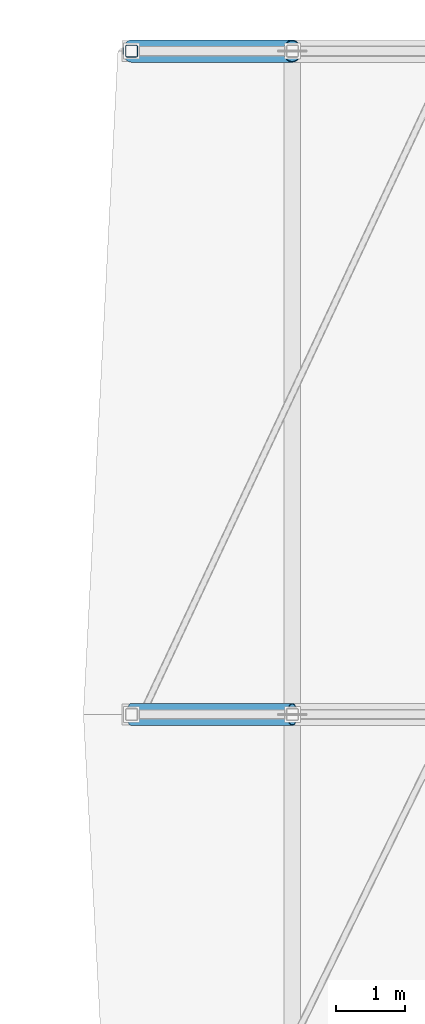
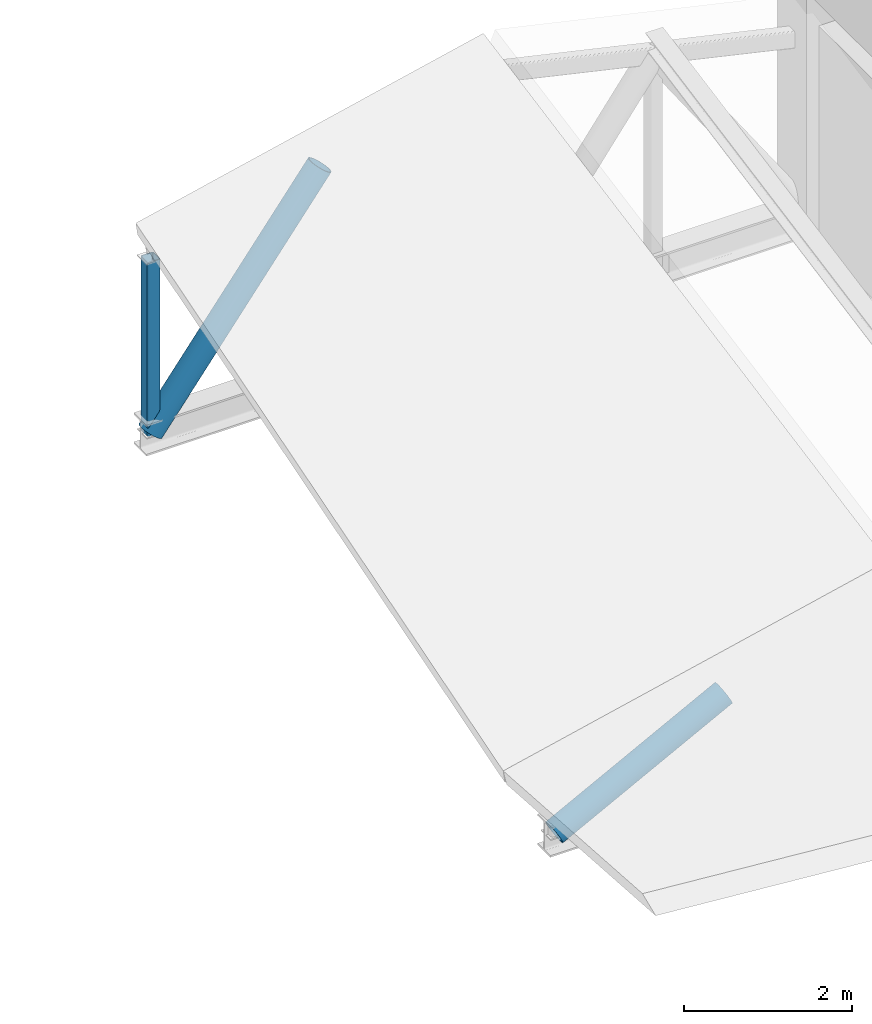
# One storey, part 39 of 90: 3 members.
"""IFC4 building model written with IfcOpenShell, lengths in metres."""

from ifc_helpers import new_model, si_unit, direction, frame, origin, origin_2d, place, context, subcontext, project, spatial, hollow_rectangle, hollow_circle, extrude, material, material_profile, profile_set, type_object, element, save


model = new_model("IFC4")

# Units and contexts
model_context = context("Model", 3, precision=1e-05, world=origin(), true_north=direction((0.0, 1.0)))
body_context = subcontext(model_context, "Body", "Model", "MODEL_VIEW")
ifc_project = project(units=[si_unit("LENGTHUNIT", "METRE"), si_unit("AREAUNIT", "SQUARE_METRE"), si_unit("VOLUMEUNIT", "CUBIC_METRE"), si_unit("PLANEANGLEUNIT", "RADIAN"), si_unit("MASSUNIT", "GRAM", prefix="KILO")], contexts=[model_context])

# Site, building, storey
site_placement = place(None, origin())
site = spatial("IfcSite", under=ifc_project, at=site_placement, CompositionType="ELEMENT")
building_placement = place(site_placement, origin())
building = spatial("IfcBuilding", under=site, at=building_placement, Name="Bozkorgan Art Gallery", CompositionType="ELEMENT")
storey_placement = place(building_placement, frame((0.0, 0.0, 5.39990234375)))
storey = spatial("IfcBuildingStorey", under=building, at=storey_placement, Name="L01", CompositionType="ELEMENT", Elevation=5.39990234375)

# Members
ifc_material = material(Name="Steel S355J2", Category="steel")
ifc_material_profile_1 = material_profile(ifc_material, hollow_rectangle(XDim=0.179931640625, YDim=0.179931640625, WallThickness=0.010009765625, InnerFilletRadius=0.014892578125, OuterFilletRadius=0.02490234375, at=origin_2d()), Name="SHS 180x180x10")
ifc_profile_set_1 = profile_set([ifc_material_profile_1], Name="Steel S355J2")
member_type_1 = type_object("IfcMemberType", Name="MEMBER-TP-98", PredefinedType="POST", material=ifc_profile_set_1)
member_1_placement = place(storey_placement, frame((127.85009765625, 112.39990234375, 0.22509765625), z_axis=(0.0, 0.0, 1.0), x_axis=(1.0, 0.0, 0.0)))
element("IfcMember", 1, at=member_1_placement, inside=storey, type_object=member_type_1, Name="ROOF-V5-DOCK roof truss 6 post 0", PredefinedType="POST", context=body_context, shape_type="SweptSolid", body=[
    extrude(hollow_rectangle(XDim=0.179931640625, YDim=0.179931640625, WallThickness=0.010009765625, InnerFilletRadius=0.014892578125, OuterFilletRadius=0.02490234375, at=origin_2d()), origin(), (0.0, 0.0, 1.0), 2.52001953125),
])
ifc_material_profile_2 = material_profile(ifc_material, hollow_circle(Radius=0.161865234375, WallThickness=0.012451171875, at=origin_2d()), Name="CHS 323.9x12.5")
ifc_profile_set_2 = profile_set([ifc_material_profile_2], Name="Steel S355J2")
member_type_2 = type_object("IfcMemberType", Name="MEMBER-TW-97", PredefinedType="BRACE", material=ifc_profile_set_2)
member_2_placement = place(storey_placement, frame((127.85009765625, 102.800048828125, 0.22509765625), z_axis=(0.886910109506, 0.0, 0.461942050105), x_axis=(0.0, 1.0, 0.0)))
element("IfcMember", 2, at=member_2_placement, inside=storey, type_object=member_type_2, Name="ROOF-V5-DOCK roof truss 5 diagonal 1", PredefinedType="BRACE", context=body_context, shape_type="SweptSolid", body=[
    extrude(hollow_circle(Radius=0.161865234375, WallThickness=0.012451171875, at=origin_2d()), origin(), (0.0, 0.0, 1.0), 2.621337890625),
])
member_3_placement = place(storey_placement, frame((127.85009765625, 112.39990234375, 0.22509765625), z_axis=(0.606471013151, 0.0, 0.795105596891), x_axis=(0.0, 1.0, 0.0)))
element("IfcMember", 3, at=member_3_placement, inside=storey, type_object=member_type_2, Name="ROOF-V5-DOCK roof truss 6 diagonal 1", PredefinedType="BRACE", context=body_context, shape_type="SweptSolid", body=[
    extrude(hollow_circle(Radius=0.161865234375, WallThickness=0.012451171875, at=origin_2d()), origin(), (0.0, 0.0, 1.0), 3.83349609375),
])

save(model, "model.ifc")
